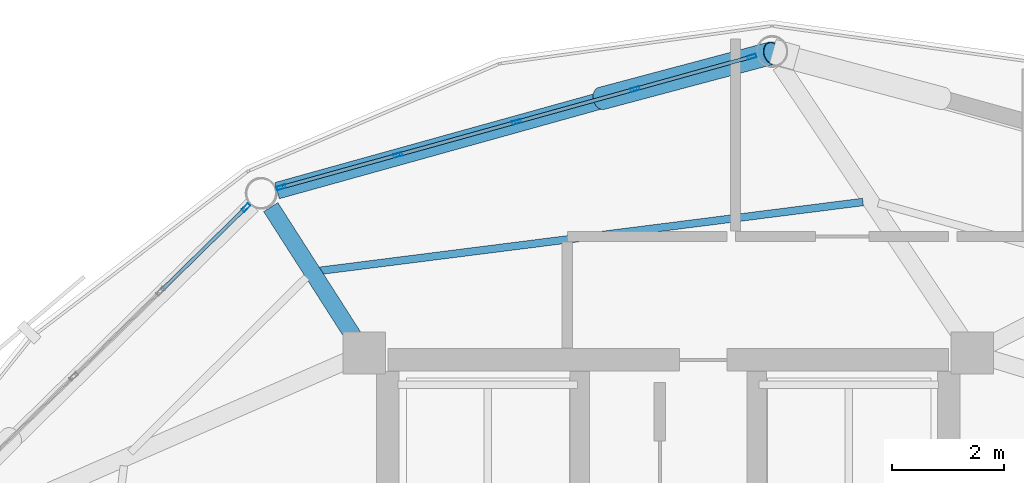
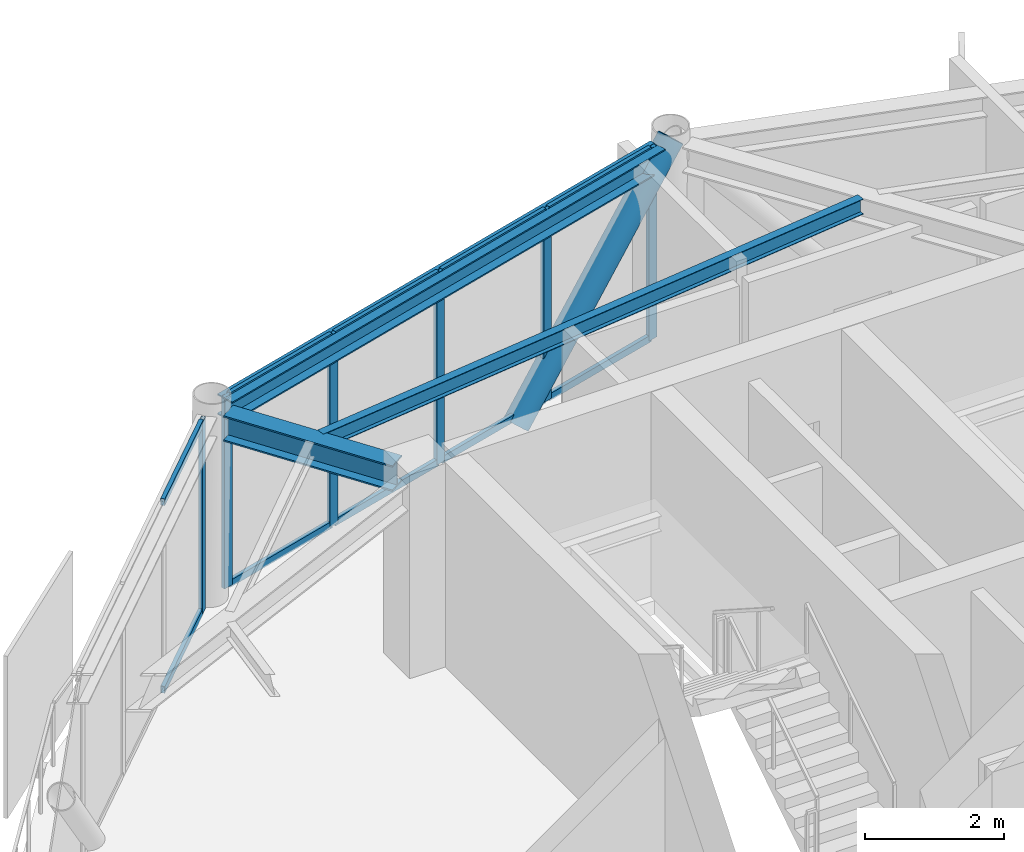
# One storey, part 18 of 26: 17 members, 3 beams, 2 elements without a shape of their own.
"""IFC4 building model written with IfcOpenShell, lengths in metres."""

import ifcopenshell
import ifcopenshell.guid

model = None  # the IFC model being written
_history = None  # IfcOwnerHistory: only IFC2X3 demands one
_inside = {}  # id of a spatial element -> (the spatial element, [elements in it])
_under = {}  # id of a project, library or spatial element -> (it, [spatial elements below it])
_declared = {}  # id of a project -> (the project, [libraries it declares])
_typed = {}  # id of a type object -> (the type object, [elements of that type])
_made_of = {}  # id of a material, layer set ... -> (it, [elements and type objects made of it])


def new_model(schema):
    """Start an empty IFC model of exactly this schema.

    Asked for "IFC4X3", IfcOpenShell would pick the latest addendum, in which some entities
    have other attributes; the version numbers below select the first issue.
    IFC2X3 requires an IfcOwnerHistory on every rooted entity: one is made here for all.
    """
    global model, _history
    if schema == "IFC4X3":
        model = ifcopenshell.file(schema_version=(4, 3, 0, 0))
    else:
        model = ifcopenshell.file(schema=schema)
    _inside.clear()
    _under.clear()
    _declared.clear()
    _typed.clear()
    _made_of.clear()
    _history = None
    if model.schema == "IFC2X3":
        org = make("IfcOrganization", Name="unknown")
        user = make(
            "IfcPersonAndOrganization",
            ThePerson=make("IfcPerson", FamilyName="unknown"),
            TheOrganization=org,
        )
        app = make(
            "IfcApplication",
            ApplicationDeveloper=org,
            Version="unknown",
            ApplicationFullName="unknown",
            ApplicationIdentifier="unknown",
        )
        _history = make(
            "IfcOwnerHistory",
            OwningUser=user,
            OwningApplication=app,
            ChangeAction="ADDED",
            CreationDate=0,
        )
    return model


def make(cls, **values):
    """One entity of the class cls with the attributes given. An attribute that is None is left unset."""
    return model.create_entity(
        cls, **{name: value for name, value in values.items() if value is not None}
    )


def rooted(cls, **values):
    """An entity with a GlobalId (a new one), such as an element, a storey or a relation."""
    return make(cls, GlobalId=ifcopenshell.guid.new(), OwnerHistory=_history, **values)


def si_unit(unit_type, name, prefix=None):
    """IfcSIUnit, for example si_unit("LENGTHUNIT", "METRE", prefix="MILLI")."""
    return make("IfcSIUnit", UnitType=unit_type, Prefix=prefix, Name=name)


def assignment(units):
    """IfcUnitAssignment: the units of a project."""
    return None if units is None else make("IfcUnitAssignment", Units=units)


def point(xyz):
    """IfcCartesianPoint."""
    return None if xyz is None else make("IfcCartesianPoint", Coordinates=xyz)


def direction(xyz):
    """IfcDirection."""
    return None if xyz is None else make("IfcDirection", DirectionRatios=xyz)


def frame(location, z_axis=None, x_axis=None):
    """IfcAxis2Placement3D, a coordinate frame: its origin and axes. An axis left out is left unset."""
    return make(
        "IfcAxis2Placement3D",
        Location=point(location),
        Axis=direction(z_axis),
        RefDirection=direction(x_axis),
    )


def frame_2d(location, x_axis=None):
    """IfcAxis2Placement2D, a coordinate frame in the plane: its origin and x axis."""
    return make(
        "IfcAxis2Placement2D", Location=point(location), RefDirection=direction(x_axis)
    )


def origin():
    """The frame at (0, 0, 0) with its axes left unset."""
    return frame((0.0, 0.0, 0.0))


def origin_2d():
    """The frame at (0, 0) in the plane with its x axis left unset."""
    return frame_2d((0.0, 0.0))


def place(relative_to, where):
    """IfcLocalPlacement: puts the frame where relative to a parent placement (None: the world)."""
    return make(
        "IfcLocalPlacement", PlacementRelTo=relative_to, RelativePlacement=where
    )


def context(
    kind, dimensions, precision=None, world=None, true_north=None, identifier=None
):
    """IfcGeometricRepresentationContext, for example the 3D "Model" context."""
    return make(
        "IfcGeometricRepresentationContext",
        ContextIdentifier=identifier,
        ContextType=kind,
        CoordinateSpaceDimension=dimensions,
        Precision=precision,
        WorldCoordinateSystem=world,
        TrueNorth=true_north,
    )


def subcontext(parent, identifier, kind, view, scale=None):
    """IfcGeometricRepresentationSubContext, for example "Body" below "Model"."""
    return make(
        "IfcGeometricRepresentationSubContext",
        ContextIdentifier=identifier,
        ContextType=kind,
        ParentContext=parent,
        TargetScale=scale,
        TargetView=view,
    )


def project(units=None, contexts=None):
    """IfcProject with its units and contexts."""
    return rooted(
        "IfcProject",
        Name="project",
        RepresentationContexts=contexts,
        UnitsInContext=assignment(units),
    )


def spatial(cls, under=None, at=None, **own):
    """A site, building, storey or space (cls), placed at a placement, below another one or the project."""
    s = rooted(cls, ObjectPlacement=at, **own)
    if under is not None:
        _under.setdefault(under.id(), (under, []))[1].append(s)
    return s


def profile(cls, at=None, kind="AREA", **sizes):
    """A parametric profile (cls). Its sizes go by their IFC names, for example OverallWidth=200.0."""
    return make(cls, ProfileType=kind, Position=at, **sizes)


def hollow_rectangle(**sizes):
    """IfcRectangleHollowProfileDef."""
    return profile("IfcRectangleHollowProfileDef", **sizes)


def hollow_circle(**sizes):
    """IfcCircleHollowProfileDef."""
    return profile("IfcCircleHollowProfileDef", **sizes)


def i_section(**sizes):
    """IfcIShapeProfileDef."""
    return profile("IfcIShapeProfileDef", **sizes)


def extrude(swept, where, along, depth):
    """IfcExtrudedAreaSolid: the profile swept, set in the frame where, extruded along a direction by depth."""
    return make(
        "IfcExtrudedAreaSolid",
        SweptArea=swept,
        Position=where,
        ExtrudedDirection=direction(along),
        Depth=depth,
    )


def shape(context_of_items, identifier, shape_type, items):
    """IfcShapeRepresentation: the items that make up one representation, for example the "Body"."""
    return make(
        "IfcShapeRepresentation",
        ContextOfItems=context_of_items,
        RepresentationIdentifier=identifier,
        RepresentationType=shape_type,
        Items=items,
    )


def material(Name=None, Category=None):
    """IfcMaterial."""
    return make("IfcMaterial", Name=Name, Category=Category)


def layer(
    of_material, thickness, ventilated=None, Name=None, Category=None, Priority=None
):
    """IfcMaterialLayer: one layer of a wall or slab, of a material (None: an air gap)."""
    return make(
        "IfcMaterialLayer",
        Material=of_material,
        LayerThickness=thickness,
        IsVentilated=ventilated,
        Name=Name,
        Category=Category,
        Priority=Priority,
    )


def layer_set(layers, Name=None):
    """IfcMaterialLayerSet."""
    return make("IfcMaterialLayerSet", MaterialLayers=layers, LayerSetName=Name)


def material_profile(
    of_material, cross_section, Name=None, Category=None, Priority=None
):
    """IfcMaterialProfile: a cross section and its material."""
    return make(
        "IfcMaterialProfile",
        Name=Name,
        Material=of_material,
        Profile=cross_section,
        Priority=Priority,
        Category=Category,
    )


def profile_set(profiles, Name=None, composite=None):
    """IfcMaterialProfileSet."""
    return make(
        "IfcMaterialProfileSet",
        Name=Name,
        MaterialProfiles=profiles,
        CompositeProfile=composite,
    )


def made_of(thing, what):
    """Note that an element or type object is made of a material, layer set ...; save() writes the relation."""
    if what is not None:
        _made_of.setdefault(what.id(), (what, []))[1].append(thing)
    return thing


def type_object(cls, material=None, **own):
    """A type object (cls), such as IfcWallType, which elements share."""
    return made_of(rooted(cls, **own), material)


def element(
    cls,
    number,
    at=None,
    inside=None,
    cuts=None,
    type_object=None,
    material=None,
    context=None,
    identifier="Body",
    shape_type=None,
    held_by="IfcProductDefinitionShape",
    body=None,
    shapes=None,
    **own,
):
    """One element of the class cls, such as IfcWall. Its Tag is "e" and its number.

    at: its placement. inside: the storey or other place that contains it. cuts: it is an
    opening in that element (IfcRelVoidsElement). A single representation is given by context,
    identifier, shape_type and body (its items); several are given by shapes. held_by: the class
    of the entity that holds the representations. save() writes the other relations.
    """
    e = rooted(cls, Tag="e%d" % number, ObjectPlacement=at, **own)
    if body is not None:
        shapes = [shape(context, identifier, shape_type, body)]
    if shapes is not None:
        e.Representation = make(held_by, Representations=shapes)
    if inside is not None:
        _inside.setdefault(inside.id(), (inside, []))[1].append(e)
    if cuts is not None:
        rooted(
            "IfcRelVoidsElement", RelatingBuildingElement=cuts, RelatedOpeningElement=e
        )
    if type_object is not None:
        _typed.setdefault(type_object.id(), (type_object, []))[1].append(e)
    return made_of(e, material)


def aggregate(whole, parts):
    """IfcRelAggregates: a whole, such as a stair, and the parts it consists of."""
    return rooted("IfcRelAggregates", RelatingObject=whole, RelatedObjects=parts)


def save(model, path):
    """Write the relations noted so far, then the file.

    IfcRelAggregates (storeys below a building ...), IfcRelContainedInSpatialStructure (elements
    in a storey), IfcRelDefinesByType, IfcRelAssociatesMaterial and IfcRelDeclares: one each for
    every whole, place, type object, material and project.
    """
    for whole, parts in _under.values():
        aggregate(whole, parts)
    for where, things in _inside.values():
        rooted(
            "IfcRelContainedInSpatialStructure",
            RelatedElements=things,
            RelatingStructure=where,
        )
    for kind, things in _typed.values():
        rooted("IfcRelDefinesByType", RelatedObjects=things, RelatingType=kind)
    for what, things in _made_of.values():
        rooted("IfcRelAssociatesMaterial", RelatedObjects=things, RelatingMaterial=what)
    for by, libraries in _declared.values():
        rooted("IfcRelDeclares", RelatingContext=by, RelatedDefinitions=libraries)
    model.write(path)


model = new_model("IFC4")

# Units and contexts
model_context = context("Model", 3, precision=1e-05, world=origin(), true_north=direction((0.0, 1.0)))
body_context = subcontext(model_context, "Body", "Model", "MODEL_VIEW")
ifc_project = project(units=[si_unit("LENGTHUNIT", "METRE"), si_unit("AREAUNIT", "SQUARE_METRE"), si_unit("VOLUMEUNIT", "CUBIC_METRE"), si_unit("PLANEANGLEUNIT", "RADIAN"), si_unit("MASSUNIT", "GRAM", prefix="KILO")], contexts=[model_context])

# Site, building, storey
site_placement = place(None, origin())
site = spatial("IfcSite", under=ifc_project, at=site_placement, CompositionType="ELEMENT")
building_placement = place(site_placement, origin())
building = spatial("IfcBuilding", under=site, at=building_placement, Name="Varnakorn Sky Granary", CompositionType="ELEMENT")
storey_placement = place(building_placement, frame((0.0, 0.0, 256.199951171875)))
storey = spatial("IfcBuildingStorey", under=building, at=storey_placement, Name="L65", CompositionType="ELEMENT", Elevation=256.199951171875)

# Beams
ifc_material_1 = material(Name="Steel S355JR", Category="steel")
ifc_material_profile_1 = material_profile(ifc_material_1, i_section(OverallWidth=0.300048828125, OverallDepth=0.449951171875, WebThickness=0.013916015625, FlangeThickness=0.02587890625, at=origin_2d()), Name="HE 450 B")
ifc_profile_set_1 = profile_set([ifc_material_profile_1], Name="Steel S355JR")
beam_type_1 = type_object("IfcBeamType", Name="BM-RAD-Z5", PredefinedType="BEAM", material=ifc_profile_set_1)
beam_1_placement = place(storey_placement, frame((-2.611328125, 12.9189453125, 3.135009765625), z_axis=(-0.53895240929, 0.842336215843, 0.0), x_axis=(-0.842336215843, -0.53895240929, 0.0)))
element("IfcBeam", 1, at=beam_1_placement, inside=storey, type_object=beam_type_1, Name="Radial Floor Girder RG05 L65", PredefinedType="BEAM", context=body_context, shape_type="SweptSolid", body=[
    extrude(i_section(OverallWidth=0.300048828125, OverallDepth=0.449951171875, WebThickness=0.013916015625, FlangeThickness=0.02587890625, at=origin_2d()), origin(), (0.0, 0.0, 1.0), 2.736083984375),
])
ifc_material_profile_2 = material_profile(ifc_material_1, i_section(OverallWidth=0.135009765625, OverallDepth=0.27001953125, WebThickness=0.006591796875, FlangeThickness=0.01025390625, at=origin_2d()), Name="IPE 270")
ifc_profile_set_2 = profile_set([ifc_material_profile_2], Name="Steel S355JR")
beam_type_2 = type_object("IfcBeamType", Name="BM-SEC-Z5", PredefinedType="BEAM", material=ifc_profile_set_2)
beam_2_placement = place(storey_placement, frame((6.470947265625, 15.315673828125, 3.22509765625), z_axis=(-0.992065509886, -0.125722011177, 0.0), x_axis=(0.125722011177, -0.992065509886, 0.0)))
element("IfcBeam", 2, at=beam_2_placement, inside=storey, type_object=beam_type_2, Name="Secondary Floor Chord Beam MSB04 L65", PredefinedType="BEAM", context=body_context, shape_type="SweptSolid", body=[
    extrude(i_section(OverallWidth=0.135009765625, OverallDepth=0.27001953125, WebThickness=0.006591796875, FlangeThickness=0.01025390625, at=origin_2d()), origin(), (0.0, 0.0, 1.0), 9.758056640625),
])
ifc_material_profile_3 = material_profile(ifc_material_1, i_section(OverallWidth=0.300048828125, OverallDepth=0.360107421875, WebThickness=0.012451171875, FlangeThickness=0.0224609375, at=origin_2d()), Name="HE 360 B")
ifc_profile_set_3 = profile_set([ifc_material_profile_3], Name="Steel S355JR")
beam_type_3 = type_object("IfcBeamType", Name="BM-SPD-Z5", PredefinedType="SPANDREL", material=ifc_profile_set_3)
beam_3_placement = place(storey_placement, frame((4.59521484375, 17.900146484375, 3.179931640625), z_axis=(-0.963443151214, -0.267912848477, 0.0), x_axis=(0.267912848477, -0.963443151214, 0.0)))
element("IfcBeam", 3, at=beam_3_placement, inside=storey, type_object=beam_type_3, Name="Perimeter Spandrel Ring Beam RB04 L65", PredefinedType="SPANDREL", context=body_context, shape_type="SweptSolid", body=[
    extrude(i_section(OverallWidth=0.300048828125, OverallDepth=0.360107421875, WebThickness=0.012451171875, FlangeThickness=0.0224609375, at=origin_2d()), origin(), (0.0, 0.0, 1.0), 8.89404296875),
])

# Curtain wall, members
ifc_material_2 = material(Name="Anodised Bronze Aluminium Alloy 6063-T6", Category="aluminium")
ifc_layer = layer(ifc_material_2, 0.159912109375, Name="Anodised Bronze Aluminium Alloy 6063-T6")
ifc_layer_set = layer_set([ifc_layer], Name="Anodised Bronze Aluminium Alloy 6063-T6")
curtain_wall_type = type_object("IfcCurtainWallType", Name="CW-OFF-1", PredefinedType="USERDEFINED", material=ifc_layer_set)
curtain_wall_1_placement = place(storey_placement, origin())
curtain_wall_1 = element("IfcCurtainWall", 4, at=curtain_wall_1_placement, inside=storey, type_object=curtain_wall_type, Name="Unitised Curtain Wall CW6 CW-L65-B04", ObjectType="CURTAIN WALL", PredefinedType="USERDEFINED")
ifc_material_profile_4 = material_profile(ifc_material_2, hollow_rectangle(XDim=0.06494140625, YDim=0.159912109375, WallThickness=0.00341796875, at=origin_2d()), Name="ALU MULL 65x160")
ifc_profile_set_4 = profile_set([ifc_material_profile_4], Name="Anodised Bronze Aluminium Alloy 6063-T6")
member_type_1 = type_object("IfcMemberType", Name="CW-OFF-1-MULL", PredefinedType="MULLION", material=ifc_profile_set_4)
member_1_placement = place(storey_placement, frame((-3.904052734375, 15.575439453125, 0.0), z_axis=(0.0, 0.0, 1.0), x_axis=(-0.26742939855, 0.963577457598, 0.0)))
member_1 = element("IfcMember", 5, at=member_1_placement, type_object=member_type_1, Name="CW6 mullion 1", PredefinedType="MULLION", context=body_context, shape_type="SweptSolid", body=[
    extrude(hollow_rectangle(XDim=0.06494140625, YDim=0.159912109375, WallThickness=0.00341796875, at=origin_2d()), origin(), (0.0, 0.0, 1.0), 3.360107421875),
])
member_2_placement = place(storey_placement, frame((-1.82080078125, 16.153564453125, 0.0), z_axis=(0.0, 0.0, 1.0), x_axis=(-0.26742939855, 0.963577457598, 0.0)))
member_2 = element("IfcMember", 6, at=member_2_placement, type_object=member_type_1, Name="CW6 mullion 2", PredefinedType="MULLION", context=body_context, shape_type="SweptSolid", body=[
    extrude(hollow_rectangle(XDim=0.06494140625, YDim=0.159912109375, WallThickness=0.00341796875, at=origin_2d()), origin(), (0.0, 0.0, 1.0), 3.360107421875),
])
member_3_placement = place(storey_placement, frame((0.293701171875, 16.740478515625, 0.0), z_axis=(0.0, 0.0, 1.0), x_axis=(-0.26742939855, 0.963577457598, 0.0)))
member_3 = element("IfcMember", 7, at=member_3_placement, type_object=member_type_1, Name="CW6 mullion 3", PredefinedType="MULLION", context=body_context, shape_type="SweptSolid", body=[
    extrude(hollow_rectangle(XDim=0.06494140625, YDim=0.159912109375, WallThickness=0.00341796875, at=origin_2d()), origin(), (0.0, 0.0, 1.0), 3.360107421875),
])
member_4_placement = place(storey_placement, frame((2.408203125, 17.327392578125, 0.0), z_axis=(0.0, 0.0, 1.0), x_axis=(-0.26742939855, 0.963577457598, 0.0)))
member_4 = element("IfcMember", 8, at=member_4_placement, type_object=member_type_1, Name="CW6 mullion 4", PredefinedType="MULLION", context=body_context, shape_type="SweptSolid", body=[
    extrude(hollow_rectangle(XDim=0.06494140625, YDim=0.159912109375, WallThickness=0.00341796875, at=origin_2d()), origin(), (0.0, 0.0, 1.0), 3.360107421875),
])
member_5_placement = place(storey_placement, frame((4.49169921875, 17.905517578125, 0.0), z_axis=(0.0, 0.0, 1.0), x_axis=(-0.26742939855, 0.963577457598, 0.0)))
member_5 = element("IfcMember", 9, at=member_5_placement, type_object=member_type_1, Name="CW6 mullion 5", PredefinedType="MULLION", context=body_context, shape_type="SweptSolid", body=[
    extrude(hollow_rectangle(XDim=0.06494140625, YDim=0.159912109375, WallThickness=0.00341796875, at=origin_2d()), origin(), (0.0, 0.0, 1.0), 3.360107421875),
])

# Curtain wall, member
curtain_wall_2_placement = place(storey_placement, origin())
curtain_wall_2 = element("IfcCurtainWall", 10, at=curtain_wall_2_placement, inside=storey, type_object=curtain_wall_type, Name="Unitised Curtain Wall CW6 CW-L65-B05", ObjectType="CURTAIN WALL", PredefinedType="USERDEFINED")
member_6_placement = place(storey_placement, frame((-4.528076171875, 15.21533203125, 0.0), z_axis=(0.0, 0.0, 1.0), x_axis=(-0.700118147913, 0.71402701557, 0.0)))
member_6 = element("IfcMember", 11, at=member_6_placement, type_object=member_type_1, Name="CW6 mullion 5", PredefinedType="MULLION", context=body_context, shape_type="SweptSolid", body=[
    extrude(hollow_rectangle(XDim=0.06494140625, YDim=0.159912109375, WallThickness=0.00341796875, at=origin_2d()), origin(), (0.0, 0.0, 1.0), 3.360107421875),
])

# Member
ifc_material_profile_5 = material_profile(ifc_material_2, hollow_rectangle(XDim=0.06494140625, YDim=0.1201171875, WallThickness=0.00341796875, at=origin_2d()), Name="ALU TRAN 65x120")
ifc_profile_set_5 = profile_set([ifc_material_profile_5], Name="Anodised Bronze Aluminium Alloy 6063-T6")
member_type_2 = type_object("IfcMemberType", Name="CW-OFF-1-TRAN", PredefinedType="USERDEFINED", material=ifc_profile_set_5)
member_7_placement = place(storey_placement, frame((-3.872802734375, 15.583984375, 0.032470703125), z_axis=(0.963582927883, 0.267409687731, 0.0), x_axis=(-0.267409687731, 0.963582927883, 0.0)))
member_7 = element("IfcMember", 12, at=member_7_placement, type_object=member_type_2, Name="CW6 transom 1.1", ObjectType="TRANSOM", PredefinedType="USERDEFINED", context=body_context, shape_type="SweptSolid", body=[
    extrude(hollow_rectangle(XDim=0.06494140625, YDim=0.1201171875, WallThickness=0.00341796875, at=origin_2d()), origin(), (0.0, 0.0, 1.0), 2.09716796875),
])

member_8_placement = place(storey_placement, frame((-3.872802734375, 15.583984375, 3.32763671875), z_axis=(0.963582927883, 0.267409687731, 0.0), x_axis=(-0.267409687731, 0.963582927883, 0.0)))
member_8 = element("IfcMember", 13, at=member_8_placement, type_object=member_type_2, Name="CW6 transom 1.2", ObjectType="TRANSOM", PredefinedType="USERDEFINED", context=body_context, shape_type="SweptSolid", body=[
    extrude(hollow_rectangle(XDim=0.06494140625, YDim=0.1201171875, WallThickness=0.00341796875, at=origin_2d()), origin(), (0.0, 0.0, 1.0), 2.09716796875),
])

member_9_placement = place(storey_placement, frame((-1.78955078125, 16.162353515625, 0.032470703125), z_axis=(0.963598348109, 0.267354116334, 0.0), x_axis=(-0.267354116334, 0.963598348109, 0.0)))
member_9 = element("IfcMember", 14, at=member_9_placement, type_object=member_type_2, Name="CW6 transom 2.1", ObjectType="TRANSOM", PredefinedType="USERDEFINED", context=body_context, shape_type="SweptSolid", body=[
    extrude(hollow_rectangle(XDim=0.06494140625, YDim=0.1201171875, WallThickness=0.00341796875, at=origin_2d()), origin(), (0.0, 0.0, 1.0), 2.129638671875),
])

member_10_placement = place(storey_placement, frame((-1.78955078125, 16.162353515625, 3.32763671875), z_axis=(0.963598348109, 0.267354116334, 0.0), x_axis=(-0.267354116334, 0.963598348109, 0.0)))
member_10 = element("IfcMember", 15, at=member_10_placement, type_object=member_type_2, Name="CW6 transom 2.2", ObjectType="TRANSOM", PredefinedType="USERDEFINED", context=body_context, shape_type="SweptSolid", body=[
    extrude(hollow_rectangle(XDim=0.06494140625, YDim=0.1201171875, WallThickness=0.00341796875, at=origin_2d()), origin(), (0.0, 0.0, 1.0), 2.129638671875),
])

member_11_placement = place(storey_placement, frame((0.324951171875, 16.7490234375, 0.032470703125), z_axis=(0.963568807844, 0.267460562606, 0.0), x_axis=(-0.267460562606, 0.963568807844, 0.0)))
member_11 = element("IfcMember", 16, at=member_11_placement, type_object=member_type_2, Name="CW6 transom 3.1", ObjectType="TRANSOM", PredefinedType="USERDEFINED", context=body_context, shape_type="SweptSolid", body=[
    extrude(hollow_rectangle(XDim=0.06494140625, YDim=0.1201171875, WallThickness=0.00341796875, at=origin_2d()), origin(), (0.0, 0.0, 1.0), 2.129638671875),
])

member_12_placement = place(storey_placement, frame((0.324951171875, 16.7490234375, 3.32763671875), z_axis=(0.963568807844, 0.267460562606, 0.0), x_axis=(-0.267460562606, 0.963568807844, 0.0)))
member_12 = element("IfcMember", 17, at=member_12_placement, type_object=member_type_2, Name="CW6 transom 3.2", ObjectType="TRANSOM", PredefinedType="USERDEFINED", context=body_context, shape_type="SweptSolid", body=[
    extrude(hollow_rectangle(XDim=0.06494140625, YDim=0.1201171875, WallThickness=0.00341796875, at=origin_2d()), origin(), (0.0, 0.0, 1.0), 2.129638671875),
])

member_13_placement = place(storey_placement, frame((2.439697265625, 17.3359375, 0.032470703125), z_axis=(0.963574601747, 0.267439688281, 0.0), x_axis=(-0.267439688281, 0.963574601747, 0.0)))
member_13 = element("IfcMember", 18, at=member_13_placement, type_object=member_type_2, Name="CW6 transom 4.1", ObjectType="TRANSOM", PredefinedType="USERDEFINED", context=body_context, shape_type="SweptSolid", body=[
    extrude(hollow_rectangle(XDim=0.06494140625, YDim=0.1201171875, WallThickness=0.00341796875, at=origin_2d()), origin(), (0.0, 0.0, 1.0), 2.096923828125),
])

member_14_placement = place(storey_placement, frame((2.439697265625, 17.3359375, 3.32763671875), z_axis=(0.963574601747, 0.267439688281, 0.0), x_axis=(-0.267439688281, 0.963574601747, 0.0)))
member_14 = element("IfcMember", 19, at=member_14_placement, type_object=member_type_2, Name="CW6 transom 4.2", ObjectType="TRANSOM", PredefinedType="USERDEFINED", context=body_context, shape_type="SweptSolid", body=[
    extrude(hollow_rectangle(XDim=0.06494140625, YDim=0.1201171875, WallThickness=0.00341796875, at=origin_2d()), origin(), (0.0, 0.0, 1.0), 2.096923828125),
])

aggregate(curtain_wall_1, [member_1, member_2, member_3, member_4, member_5, member_7, member_8, member_9, member_10, member_11, member_12, member_13, member_14])

member_15_placement = place(storey_placement, frame((-6.028076171875, 13.74462890625, 0.032470703125), z_axis=(0.714036969685, 0.7001079959, 0.0), x_axis=(-0.7001079959, 0.714036969685, 0.0)))
member_15 = element("IfcMember", 20, at=member_15_placement, type_object=member_type_2, Name="CW6 transom 4.1", ObjectType="TRANSOM", PredefinedType="USERDEFINED", context=body_context, shape_type="SweptSolid", body=[
    extrude(hollow_rectangle(XDim=0.06494140625, YDim=0.1201171875, WallThickness=0.00341796875, at=origin_2d()), origin(), (0.0, 0.0, 1.0), 2.068359375),
])

member_16_placement = place(storey_placement, frame((-6.028076171875, 13.74462890625, 3.32763671875), z_axis=(0.714036969685, 0.7001079959, 0.0), x_axis=(-0.7001079959, 0.714036969685, 0.0)))
member_16 = element("IfcMember", 21, at=member_16_placement, type_object=member_type_2, Name="CW6 transom 4.2", ObjectType="TRANSOM", PredefinedType="USERDEFINED", context=body_context, shape_type="SweptSolid", body=[
    extrude(hollow_rectangle(XDim=0.06494140625, YDim=0.1201171875, WallThickness=0.00341796875, at=origin_2d()), origin(), (0.0, 0.0, 1.0), 2.068359375),
])

aggregate(curtain_wall_2, [member_6, member_15, member_16])

ifc_material_3 = material(Name="Steel S460M", Category="steel")
ifc_material_profile_6 = material_profile(ifc_material_3, hollow_circle(Radius=0.203125, WallThickness=0.01611328125, at=origin_2d()), Name="CHS 406.4x16")
ifc_profile_set_6 = profile_set([ifc_material_profile_6], Name="Steel S460M")
member_type_3 = type_object("IfcMemberType", Name="MB-DIAG-T4", PredefinedType="BRACE", material=ifc_profile_set_6)
member_17_placement = place(storey_placement, frame((1.8125, 17.162109375, -0.1298828125), z_axis=(0.646718359362, 0.172205266401, 0.743034797225), x_axis=(-0.257309749446, 0.966328977543, 0.0)))
element("IfcMember", 22, at=member_17_placement, inside=storey, type_object=member_type_3, Name="Perimeter CHS Diagrid Brace DG04 L65", PredefinedType="BRACE", context=body_context, shape_type="SweptSolid", body=[
    extrude(hollow_circle(Radius=0.203125, WallThickness=0.01611328125, at=origin_2d()), origin(), (0.0, 0.0, 1.0), 4.697021484375),
])

save(model, "model.ifc")
